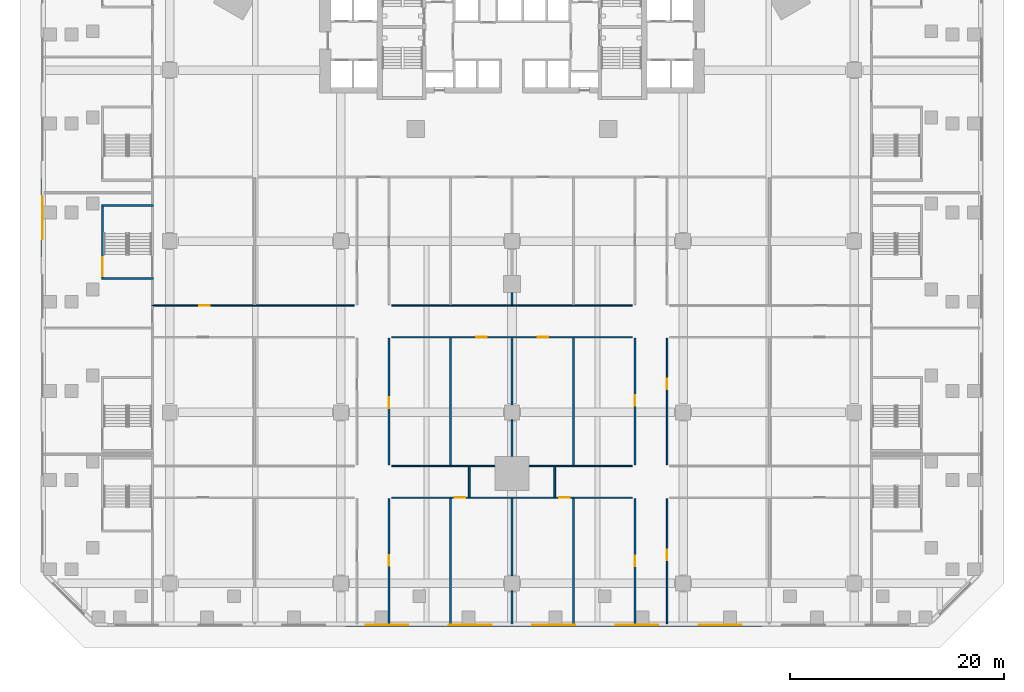
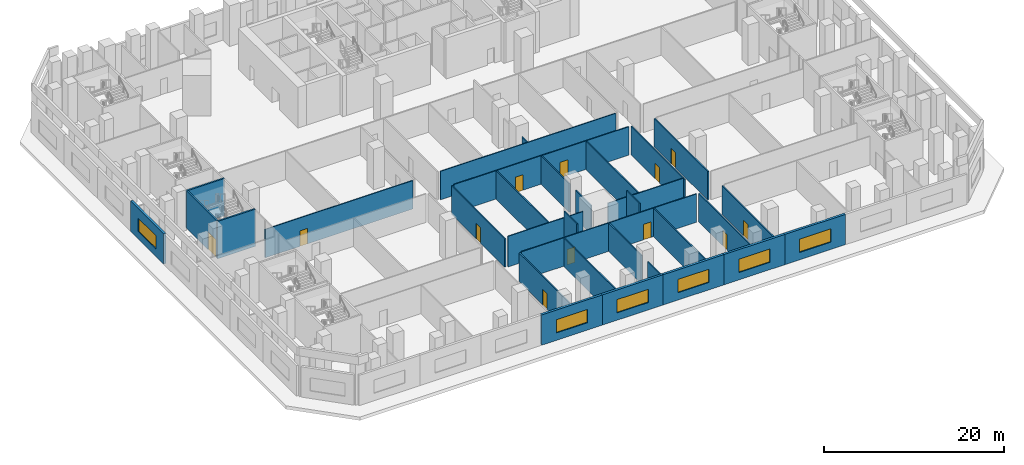
# One storey, part 5 of 22: 32 walls, 12 doors, 6 windows, 18 openings.
"""IFC4 building model written with IfcOpenShell, lengths in metres."""

from ifc_helpers import new_model, si_unit, direction, frame, frame_2d, origin, place, context, subcontext, project, spatial, rectangle, extrude, material, layer, layer_set, type_object, element, fill, save


model = new_model("IFC4")

# Units and contexts
model_context = context("Model", 3, precision=1e-05, world=origin(), true_north=direction((0.0, 1.0)))
body_context = subcontext(model_context, "Body", "Model", "MODEL_VIEW")
ifc_project = project(units=[si_unit("LENGTHUNIT", "METRE"), si_unit("AREAUNIT", "SQUARE_METRE"), si_unit("VOLUMEUNIT", "CUBIC_METRE"), si_unit("PLANEANGLEUNIT", "RADIAN"), si_unit("MASSUNIT", "GRAM", prefix="KILO")], contexts=[model_context])

# Site, building, storey
site_placement = place(None, origin())
site = spatial("IfcSite", under=ifc_project, at=site_placement, CompositionType="ELEMENT")
building_placement = place(site_placement, origin())
building = spatial("IfcBuilding", under=site, at=building_placement, Name="Calabash Gate Tower", CompositionType="ELEMENT")
storey_placement = place(building_placement, frame((0.0, 0.0, 29.0)))
storey = spatial("IfcBuildingStorey", under=building, at=storey_placement, Name="L03", CompositionType="ELEMENT", Elevation=29.0)

# Wall, opening, door
ifc_material_1 = material(Name="Gypsum board on steel studs, mineral wool", Category="steel")
ifc_layer_1 = layer(ifc_material_1, 0.14990234375)
ifc_layer_set_1 = layer_set([ifc_layer_1], Name="Partition 150 gypsum board")
wall_type_1 = type_object("IfcWallType", Name="Partition 150 gypsum board", PredefinedType="PARTITIONING", material=ifc_layer_set_1)
wall_1_placement = place(storey_placement, frame((-11.5, -43.77001953125, 0.0), z_axis=(0.0, 0.0, 1.0), x_axis=(0.0, 1.0, 0.0)))
wall_1 = element("IfcWall", 1, at=wall_1_placement, inside=storey, type_object=wall_type_1, Name="Partition", PredefinedType="PARTITIONING", context=body_context, shape_type="SweptSolid", body=[
    extrude(rectangle(XDim=11.695068359375, YDim=0.14990234375, at=frame_2d((5.84765625, 0.0))), origin(), (0.0, 0.0, 1.0), 3.85009765625),
])
opening_1_placement = place(wall_1_placement, frame((5.419921875, 0.0, 0.0)))
opening_1 = element("IfcOpeningElement", 2, at=opening_1_placement, cuts=wall_1, Name="Opening L03-064", PredefinedType="OPENING", context=body_context, shape_type="SweptSolid", body=[
    extrude(rectangle(XDim=1.0, YDim=2.10009765625, at=frame_2d((0.5, 1.050048828125))), frame((0.0, 0.0849609375, 0.0), z_axis=(0.0, -1.0, 0.0), x_axis=(1.0, 0.0, 0.0)), (0.0, 0.0, 1.0), 0.169921875),
])
ifc_material_2 = material(Name="Steel fire door set with fire-resisting glazing", Category="steel")
door_type_1 = type_object("IfcDoorType", Name="Fire door D11 1000x2100 FD60", OperationType="NOTDEFINED", PredefinedType="DOOR", material=ifc_material_2)
door_1_placement = place(opening_1_placement, origin())
door_1 = element("IfcDoor", 3, at=door_1_placement, inside=storey, type_object=door_type_1, Name="Meeting Room 319 door", OperationType="SINGLE_SWING_RIGHT", OverallHeight=2.10009765625, OverallWidth=1.0, PredefinedType="DOOR", context=body_context, shape_type="SweptSolid", body=[
    extrude(rectangle(XDim=1.0, YDim=2.10009765625, at=frame_2d((0.5, 1.050048828125))), frame((0.0, 0.02490234375, 0.0), z_axis=(0.0, -1.0, 0.0), x_axis=(1.0, 0.0, 0.0)), (0.0, 0.0, 1.0), 0.050048828125),
])
fill(opening_1, door_1)

# Walls
wall_2_placement = place(storey_placement, frame((-5.75, -43.77001953125, 0.0), z_axis=(0.0, 0.0, 1.0), x_axis=(0.0, 1.0, 0.0)))
element("IfcWall", 4, at=wall_2_placement, inside=storey, type_object=wall_type_1, Name="Partition", PredefinedType="PARTITIONING", context=body_context, shape_type="SweptSolid", body=[
    extrude(rectangle(XDim=11.695068359375, YDim=0.14990234375, at=frame_2d((5.84765625, 0.0))), origin(), (0.0, 0.0, 1.0), 3.85009765625),
])
wall_3_placement = place(storey_placement, frame((0.0, -43.77490234375, 0.0), z_axis=(0.0, 0.0, 1.0), x_axis=(0.0, 1.0, 0.0)))
element("IfcWall", 5, at=wall_3_placement, inside=storey, type_object=wall_type_1, Name="Partition", PredefinedType="PARTITIONING", context=body_context, shape_type="SweptSolid", body=[
    extrude(rectangle(XDim=3.074951171875, YDim=0.14990234375, at=frame_2d((1.53759765625, 0.0))), origin(), (0.0, 0.0, 1.0), 3.85009765625),
])
wall_4_placement = place(storey_placement, frame((5.75, -43.77001953125, 0.0), z_axis=(0.0, 0.0, 1.0), x_axis=(0.0, 1.0, 0.0)))
element("IfcWall", 6, at=wall_4_placement, inside=storey, type_object=wall_type_1, Name="Partition", PredefinedType="PARTITIONING", context=body_context, shape_type="SweptSolid", body=[
    extrude(rectangle(XDim=11.695068359375, YDim=0.14990234375, at=frame_2d((5.84765625, 0.0))), origin(), (0.0, 0.0, 1.0), 3.85009765625),
])

# Wall, opening, door
wall_5_placement = place(storey_placement, frame((11.5, -43.77001953125, 0.0), z_axis=(0.0, 0.0, 1.0), x_axis=(0.0, 1.0, 0.0)))
wall_5 = element("IfcWall", 7, at=wall_5_placement, inside=storey, type_object=wall_type_1, Name="Partition", PredefinedType="PARTITIONING", context=body_context, shape_type="SweptSolid", body=[
    extrude(rectangle(XDim=11.695068359375, YDim=0.14990234375, at=frame_2d((5.84765625, 0.0))), origin(), (0.0, 0.0, 1.0), 3.85009765625),
])
opening_2_placement = place(wall_5_placement, frame((5.3701171875, 0.0, 0.0)))
opening_2 = element("IfcOpeningElement", 8, at=opening_2_placement, cuts=wall_5, Name="Opening L03-067", PredefinedType="OPENING", context=body_context, shape_type="SweptSolid", body=[
    extrude(rectangle(XDim=1.0, YDim=2.10009765625, at=frame_2d((0.5, 1.050048828125))), frame((0.0, 0.0849609375, 0.0), z_axis=(0.0, -1.0, 0.0), x_axis=(1.0, 0.0, 0.0)), (0.0, 0.0, 1.0), 0.169921875),
])
door_2_placement = place(opening_2_placement, origin())
door_2 = element("IfcDoor", 9, at=door_2_placement, inside=storey, type_object=door_type_1, Name="Meeting Room 322 door", OperationType="SINGLE_SWING_LEFT", OverallHeight=2.10009765625, OverallWidth=1.0, PredefinedType="DOOR", context=body_context, shape_type="SweptSolid", body=[
    extrude(rectangle(XDim=1.0, YDim=2.10009765625, at=frame_2d((0.5, 1.050048828125))), frame((0.0, 0.02490234375, 0.0), z_axis=(0.0, -1.0, 0.0), x_axis=(1.0, 0.0, 0.0)), (0.0, 0.0, 1.0), 0.050048828125),
])
fill(opening_2, door_2)

wall_6_placement = place(storey_placement, frame((14.5, -43.77001953125, 0.0), z_axis=(0.0, 0.0, 1.0), x_axis=(0.0, 1.0, 0.0)))
wall_6 = element("IfcWall", 10, at=wall_6_placement, inside=storey, type_object=wall_type_1, Name="Partition", PredefinedType="PARTITIONING", context=body_context, shape_type="SweptSolid", body=[
    extrude(rectangle(XDim=11.695068359375, YDim=0.14990234375, at=frame_2d((5.84765625, 0.0))), origin(), (0.0, 0.0, 1.0), 3.85009765625),
])
opening_3_placement = place(wall_6_placement, frame((5.919921875, 0.0, 0.0)))
opening_3 = element("IfcOpeningElement", 11, at=opening_3_placement, cuts=wall_6, Name="Opening L03-068", PredefinedType="OPENING", context=body_context, shape_type="SweptSolid", body=[
    extrude(rectangle(XDim=1.0, YDim=2.10009765625, at=frame_2d((0.5, 1.050048828125))), frame((0.0, 0.0849609375, 0.0), z_axis=(0.0, -1.0, 0.0), x_axis=(1.0, 0.0, 0.0)), (0.0, 0.0, 1.0), 0.169921875),
])
door_3_placement = place(opening_3_placement, origin())
door_3 = element("IfcDoor", 12, at=door_3_placement, inside=storey, type_object=door_type_1, Name="Meeting Room 323 door", OperationType="SINGLE_SWING_LEFT", OverallHeight=2.10009765625, OverallWidth=1.0, PredefinedType="DOOR", context=body_context, shape_type="SweptSolid", body=[
    extrude(rectangle(XDim=1.0, YDim=2.10009765625, at=frame_2d((0.5, 1.050048828125))), frame((0.0, 0.02490234375, 0.0), z_axis=(0.0, -1.0, 0.0), x_axis=(1.0, 0.0, 0.0)), (0.0, 0.0, 1.0), 0.050048828125),
])
fill(opening_3, door_3)

# Wall
wall_7_placement = place(storey_placement, frame((0.0, -39.300048828125, 0.0), z_axis=(0.0, 0.0, 1.0), x_axis=(0.0, 1.0, 0.0)))
element("IfcWall", 13, at=wall_7_placement, inside=storey, type_object=wall_type_1, Name="Partition", PredefinedType="PARTITIONING", context=body_context, shape_type="SweptSolid", body=[
    extrude(rectangle(XDim=7.22509765625, YDim=0.14990234375, at=frame_2d((3.612548828125, 0.0))), origin(), (0.0, 0.0, 1.0), 3.85009765625),
])

# Wall, openings, doors
wall_8_placement = place(storey_placement, frame((-11.22998046875, -31.982421875, 0.0), z_axis=(0.0, 0.0, 1.0), x_axis=(1.0, 0.0, 0.0)))
wall_8 = element("IfcWall", 14, at=wall_8_placement, inside=storey, type_object=wall_type_1, Name="Partition", PredefinedType="PARTITIONING", context=body_context, shape_type="SweptSolid", body=[
    extrude(rectangle(XDim=22.4599609375, YDim=0.114990234375, at=frame_2d((11.22998046875, 0.0))), origin(), (0.0, 0.0, 1.0), 3.85009765625),
])
opening_4_placement = place(wall_8_placement, frame((5.8798828125, 0.0, 0.0)))
opening_4 = element("IfcOpeningElement", 15, at=opening_4_placement, cuts=wall_8, Name="Opening L03-065", PredefinedType="OPENING", context=body_context, shape_type="SweptSolid", body=[
    extrude(rectangle(XDim=1.0, YDim=2.10009765625, at=frame_2d((0.5, 1.050048828125))), frame((0.0, 0.0673828125, 0.0), z_axis=(0.0, -1.0, 0.0), x_axis=(1.0, 0.0, 0.0)), (0.0, 0.0, 1.0), 0.135009765625),
])
opening_5_placement = place(wall_8_placement, frame((15.6298828125, 0.0, 0.0)))
opening_5 = element("IfcOpeningElement", 16, at=opening_5_placement, cuts=wall_8, Name="Opening L03-066", PredefinedType="OPENING", context=body_context, shape_type="SweptSolid", body=[
    extrude(rectangle(XDim=1.0, YDim=2.10009765625, at=frame_2d((0.5, 1.050048828125))), frame((0.0, 0.0673828125, 0.0), z_axis=(0.0, -1.0, 0.0), x_axis=(1.0, 0.0, 0.0)), (0.0, 0.0, 1.0), 0.135009765625),
])
door_4_placement = place(opening_4_placement, origin())
door_4 = element("IfcDoor", 17, at=door_4_placement, inside=storey, type_object=door_type_1, Name="Meeting Room 320 door", OperationType="SINGLE_SWING_LEFT", OverallHeight=2.10009765625, OverallWidth=1.0, PredefinedType="DOOR", context=body_context, shape_type="SweptSolid", body=[
    extrude(rectangle(XDim=1.0, YDim=2.10009765625, at=frame_2d((0.5, 1.050048828125))), frame((0.0, 0.02490234375, 0.0), z_axis=(0.0, -1.0, 0.0), x_axis=(1.0, 0.0, 0.0)), (0.0, 0.0, 1.0), 0.050048828125),
])
fill(opening_4, door_4)
door_5_placement = place(opening_5_placement, origin())
door_5 = element("IfcDoor", 18, at=door_5_placement, inside=storey, type_object=door_type_1, Name="Meeting Room 321 door", OperationType="SINGLE_SWING_LEFT", OverallHeight=2.10009765625, OverallWidth=1.0, PredefinedType="DOOR", context=body_context, shape_type="SweptSolid", body=[
    extrude(rectangle(XDim=1.0, YDim=2.10009765625, at=frame_2d((0.5, 1.050048828125))), frame((0.0, 0.02490234375, 0.0), z_axis=(0.0, -1.0, 0.0), x_axis=(1.0, 0.0, 0.0)), (0.0, 0.0, 1.0), 0.050048828125),
])
fill(opening_5, door_5)

# Walls
for number, where, z_axis, x_axis, name in (
    (19, (-4.0, -31.925048828125, 0.0), (0.0, 0.0, 1.0), (0.0, 1.0, 0.0), "Partition"),
    (20, (4.0, -31.925048828125, 0.0), (0.0, 0.0, 1.0), (0.0, 1.0, 0.0), "Partition"),
):
    element("IfcWall", number, at=place(storey_placement, frame(where, z_axis=z_axis, x_axis=x_axis)), inside=storey, type_object=wall_type_1, Name=name, PredefinedType="PARTITIONING", context=body_context, shape_type="SweptSolid", body=[
        extrude(rectangle(XDim=2.85009765625, YDim=0.14990234375, at=frame_2d((1.425048828125, 0.0))), origin(), (0.0, 0.0, 1.0), 5.050048828125),
    ])
for number, where, z_axis, x_axis, name in (
    (21, (-11.22998046875, -29.017578125, 0.0), (0.0, 0.0, 1.0), (1.0, 0.0, 0.0), "Partition"),
    (22, (1.60009765625, -29.017578125, 0.0), (0.0, 0.0, 1.0), (1.0, 0.0, 0.0), "Partition"),
):
    element("IfcWall", number, at=place(storey_placement, frame(where, z_axis=z_axis, x_axis=x_axis)), inside=storey, type_object=wall_type_1, Name=name, PredefinedType="PARTITIONING", context=body_context, shape_type="SweptSolid", body=[
        extrude(rectangle(XDim=9.6298828125, YDim=0.114990234375, at=frame_2d((4.81494140625, 0.0))), origin(), (0.0, 0.0, 1.0), 4.14990234375),
    ])

# Wall, opening, door
wall_9_placement = place(storey_placement, frame((-11.5, -28.925048828125, 0.0), z_axis=(0.0, 0.0, 1.0), x_axis=(0.0, 1.0, 0.0)))
wall_9 = element("IfcWall", 23, at=wall_9_placement, inside=storey, type_object=wall_type_1, Name="Partition", PredefinedType="PARTITIONING", context=body_context, shape_type="SweptSolid", body=[
    extrude(rectangle(XDim=11.85009765625, YDim=0.14990234375, at=frame_2d((5.925048828125, 0.0))), origin(), (0.0, 0.0, 1.0), 3.85009765625),
])
opening_6_placement = place(wall_9_placement, frame((5.324951171875, 0.0, 0.0)))
opening_6 = element("IfcOpeningElement", 24, at=opening_6_placement, cuts=wall_9, Name="Opening L03-056", PredefinedType="OPENING", context=body_context, shape_type="SweptSolid", body=[
    extrude(rectangle(XDim=1.0, YDim=2.10009765625, at=frame_2d((0.5, 1.050048828125))), frame((0.0, 0.0849609375, 0.0), z_axis=(0.0, -1.0, 0.0), x_axis=(1.0, 0.0, 0.0)), (0.0, 0.0, 1.0), 0.169921875),
])
door_6_placement = place(opening_6_placement, origin())
door_6 = element("IfcDoor", 25, at=door_6_placement, inside=storey, type_object=door_type_1, Name="Meeting Room 311 door", OperationType="SINGLE_SWING_RIGHT", OverallHeight=2.10009765625, OverallWidth=1.0, PredefinedType="DOOR", context=body_context, shape_type="SweptSolid", body=[
    extrude(rectangle(XDim=1.0, YDim=2.10009765625, at=frame_2d((0.5, 1.050048828125))), frame((0.0, 0.02490234375, 0.0), z_axis=(0.0, -1.0, 0.0), x_axis=(1.0, 0.0, 0.0)), (0.0, 0.0, 1.0), 0.050048828125),
])
fill(opening_6, door_6)

# Walls
for number, where, z_axis, x_axis, name in (
    (26, (-5.75, -28.925048828125, 0.0), (0.0, 0.0, 1.0), (0.0, 1.0, 0.0), "Partition"),
    (27, (5.75, -28.925048828125, 0.0), (0.0, 0.0, 1.0), (0.0, 1.0, 0.0), "Partition"),
):
    element("IfcWall", number, at=place(storey_placement, frame(where, z_axis=z_axis, x_axis=x_axis)), inside=storey, type_object=wall_type_1, Name=name, PredefinedType="PARTITIONING", context=body_context, shape_type="SweptSolid", body=[
        extrude(rectangle(XDim=11.85009765625, YDim=0.14990234375, at=frame_2d((5.925048828125, 0.0))), origin(), (0.0, 0.0, 1.0), 3.85009765625),
    ])

# Wall, opening, door
wall_10_placement = place(storey_placement, frame((11.5, -28.925048828125, 0.0), z_axis=(0.0, 0.0, 1.0), x_axis=(0.0, 1.0, 0.0)))
wall_10 = element("IfcWall", 28, at=wall_10_placement, inside=storey, type_object=wall_type_1, Name="Partition", PredefinedType="PARTITIONING", context=body_context, shape_type="SweptSolid", body=[
    extrude(rectangle(XDim=11.85009765625, YDim=0.14990234375, at=frame_2d((5.925048828125, 0.0))), origin(), (0.0, 0.0, 1.0), 3.85009765625),
])
opening_7_placement = place(wall_10_placement, frame((5.52490234375, 0.0, 0.0)))
opening_7 = element("IfcOpeningElement", 29, at=opening_7_placement, cuts=wall_10, Name="Opening L03-059", PredefinedType="OPENING", context=body_context, shape_type="SweptSolid", body=[
    extrude(rectangle(XDim=1.0, YDim=2.10009765625, at=frame_2d((0.5, 1.050048828125))), frame((0.0, 0.0849609375, 0.0), z_axis=(0.0, -1.0, 0.0), x_axis=(1.0, 0.0, 0.0)), (0.0, 0.0, 1.0), 0.169921875),
])
door_7_placement = place(opening_7_placement, origin())
door_7 = element("IfcDoor", 30, at=door_7_placement, inside=storey, type_object=door_type_1, Name="Meeting Room 314 door", OperationType="SINGLE_SWING_LEFT", OverallHeight=2.10009765625, OverallWidth=1.0, PredefinedType="DOOR", context=body_context, shape_type="SweptSolid", body=[
    extrude(rectangle(XDim=1.0, YDim=2.10009765625, at=frame_2d((0.5, 1.050048828125))), frame((0.0, 0.02490234375, 0.0), z_axis=(0.0, -1.0, 0.0), x_axis=(1.0, 0.0, 0.0)), (0.0, 0.0, 1.0), 0.050048828125),
])
fill(opening_7, door_7)

wall_11_placement = place(storey_placement, frame((14.5, -28.925048828125, 0.0), z_axis=(0.0, 0.0, 1.0), x_axis=(0.0, 1.0, 0.0)))
wall_11 = element("IfcWall", 31, at=wall_11_placement, inside=storey, type_object=wall_type_1, Name="Partition", PredefinedType="PARTITIONING", context=body_context, shape_type="SweptSolid", body=[
    extrude(rectangle(XDim=11.85009765625, YDim=0.14990234375, at=frame_2d((5.925048828125, 0.0))), origin(), (0.0, 0.0, 1.0), 3.85009765625),
])
opening_8_placement = place(wall_11_placement, frame((7.074951171875, 0.0, 0.0)))
opening_8 = element("IfcOpeningElement", 32, at=opening_8_placement, cuts=wall_11, Name="Opening L03-060", PredefinedType="OPENING", context=body_context, shape_type="SweptSolid", body=[
    extrude(rectangle(XDim=1.0, YDim=2.10009765625, at=frame_2d((0.5, 1.050048828125))), frame((0.0, 0.0849609375, 0.0), z_axis=(0.0, -1.0, 0.0), x_axis=(1.0, 0.0, 0.0)), (0.0, 0.0, 1.0), 0.169921875),
])
door_8_placement = place(opening_8_placement, origin())
door_8 = element("IfcDoor", 33, at=door_8_placement, inside=storey, type_object=door_type_1, Name="Meeting Room 315 door", OperationType="SINGLE_SWING_LEFT", OverallHeight=2.10009765625, OverallWidth=1.0, PredefinedType="DOOR", context=body_context, shape_type="SweptSolid", body=[
    extrude(rectangle(XDim=1.0, YDim=2.10009765625, at=frame_2d((0.5, 1.050048828125))), frame((0.0, 0.02490234375, 0.0), z_axis=(0.0, -1.0, 0.0), x_axis=(1.0, 0.0, 0.0)), (0.0, 0.0, 1.0), 0.050048828125),
])
fill(opening_8, door_8)

# Walls
wall_12_placement = place(storey_placement, frame((0.0, -28.133056640625, 0.0), z_axis=(0.0, 0.0, 1.0), x_axis=(0.0, 1.0, 0.0)))
element("IfcWall", 34, at=wall_12_placement, inside=storey, type_object=wall_type_1, Name="Partition", PredefinedType="PARTITIONING", context=body_context, shape_type="SweptSolid", body=[
    extrude(rectangle(XDim=3.43310546875, YDim=0.14990234375, at=frame_2d((1.716552734375, 0.0))), origin(), (0.0, 0.0, 1.0), 3.85009765625),
])
wall_13_placement = place(storey_placement, frame((0.0, -23.300048828125, 0.0), z_axis=(0.0, 0.0, 1.0), x_axis=(0.0, 1.0, 0.0)))
element("IfcWall", 35, at=wall_13_placement, inside=storey, type_object=wall_type_1, Name="Partition", PredefinedType="PARTITIONING", context=body_context, shape_type="SweptSolid", body=[
    extrude(rectangle(XDim=6.22509765625, YDim=0.14990234375, at=frame_2d((3.112548828125, 0.0))), origin(), (0.0, 0.0, 1.0), 3.85009765625),
])

# Wall, openings, doors
wall_14_placement = place(storey_placement, frame((-11.22998046875, -16.982421875, 0.0), z_axis=(0.0, 0.0, 1.0), x_axis=(1.0, 0.0, 0.0)))
wall_14 = element("IfcWall", 36, at=wall_14_placement, inside=storey, type_object=wall_type_1, Name="Partition", PredefinedType="PARTITIONING", context=body_context, shape_type="SweptSolid", body=[
    extrude(rectangle(XDim=22.4599609375, YDim=0.114990234375, at=frame_2d((11.22998046875, 0.0))), origin(), (0.0, 0.0, 1.0), 3.85009765625),
])
opening_9_placement = place(wall_14_placement, frame((7.8798828125, 0.0, 0.0)))
opening_9 = element("IfcOpeningElement", 37, at=opening_9_placement, cuts=wall_14, Name="Opening L03-057", PredefinedType="OPENING", context=body_context, shape_type="SweptSolid", body=[
    extrude(rectangle(XDim=1.0, YDim=2.10009765625, at=frame_2d((0.5, 1.050048828125))), frame((0.0, 0.0673828125, 0.0), z_axis=(0.0, -1.0, 0.0), x_axis=(1.0, 0.0, 0.0)), (0.0, 0.0, 1.0), 0.135009765625),
])
opening_10_placement = place(wall_14_placement, frame((13.6298828125, 0.0, 0.0)))
opening_10 = element("IfcOpeningElement", 38, at=opening_10_placement, cuts=wall_14, Name="Opening L03-058", PredefinedType="OPENING", context=body_context, shape_type="SweptSolid", body=[
    extrude(rectangle(XDim=1.0, YDim=2.10009765625, at=frame_2d((0.5, 1.050048828125))), frame((0.0, 0.0673828125, 0.0), z_axis=(0.0, -1.0, 0.0), x_axis=(1.0, 0.0, 0.0)), (0.0, 0.0, 1.0), 0.135009765625),
])
door_9_placement = place(opening_9_placement, origin())
door_9 = element("IfcDoor", 39, at=door_9_placement, inside=storey, type_object=door_type_1, Name="Meeting Room 312 door", OperationType="SINGLE_SWING_RIGHT", OverallHeight=2.10009765625, OverallWidth=1.0, PredefinedType="DOOR", context=body_context, shape_type="SweptSolid", body=[
    extrude(rectangle(XDim=1.0, YDim=2.10009765625, at=frame_2d((0.5, 1.050048828125))), frame((0.0, 0.02490234375, 0.0), z_axis=(0.0, -1.0, 0.0), x_axis=(1.0, 0.0, 0.0)), (0.0, 0.0, 1.0), 0.050048828125),
])
fill(opening_9, door_9)
door_10_placement = place(opening_10_placement, origin())
door_10 = element("IfcDoor", 40, at=door_10_placement, inside=storey, type_object=door_type_1, Name="Meeting Room 313 door", OperationType="SINGLE_SWING_LEFT", OverallHeight=2.10009765625, OverallWidth=1.0, PredefinedType="DOOR", context=body_context, shape_type="SweptSolid", body=[
    extrude(rectangle(XDim=1.0, YDim=2.10009765625, at=frame_2d((0.5, 1.050048828125))), frame((0.0, 0.02490234375, 0.0), z_axis=(0.0, -1.0, 0.0), x_axis=(1.0, 0.0, 0.0)), (0.0, 0.0, 1.0), 0.050048828125),
])
fill(opening_10, door_10)

# Wall, opening, door
wall_15_placement = place(storey_placement, frame((-33.675048828125, -14.017578125, 0.0), z_axis=(0.0, 0.0, 1.0), x_axis=(1.0, 0.0, 0.0)))
wall_15 = element("IfcWall", 41, at=wall_15_placement, inside=storey, type_object=wall_type_1, Name="Partition", PredefinedType="PARTITIONING", context=body_context, shape_type="SweptSolid", body=[
    extrude(rectangle(XDim=18.905029296875, YDim=0.114990234375, at=frame_2d((9.45263671875, 0.0))), origin(), (0.0, 0.0, 1.0), 3.85009765625),
])
opening_11_placement = place(wall_15_placement, frame((4.425048828125, 0.0, 0.0)))
opening_11 = element("IfcOpeningElement", 42, at=opening_11_placement, cuts=wall_15, Name="Opening L03-046", PredefinedType="OPENING", context=body_context, shape_type="SweptSolid", body=[
    extrude(rectangle(XDim=1.0, YDim=2.10009765625, at=frame_2d((0.5, 1.050048828125))), frame((0.0, 0.0673828125, 0.0), z_axis=(0.0, -1.0, 0.0), x_axis=(1.0, 0.0, 0.0)), (0.0, 0.0, 1.0), 0.135009765625),
])
door_11_placement = place(opening_11_placement, origin())
door_11 = element("IfcDoor", 43, at=door_11_placement, inside=storey, type_object=door_type_1, Name="Meeting Room 301 door", OperationType="SINGLE_SWING_LEFT", OverallHeight=2.10009765625, OverallWidth=1.0, PredefinedType="DOOR", context=body_context, shape_type="SweptSolid", body=[
    extrude(rectangle(XDim=1.0, YDim=2.10009765625, at=frame_2d((0.5, 1.050048828125))), frame((0.0, 0.02490234375, 0.0), z_axis=(0.0, -1.0, 0.0), x_axis=(1.0, 0.0, 0.0)), (0.0, 0.0, 1.0), 0.050048828125),
])
fill(opening_11, door_11)

# Walls
wall_16_placement = place(storey_placement, frame((-11.22998046875, -14.017578125, 0.0), z_axis=(0.0, 0.0, 1.0), x_axis=(1.0, 0.0, 0.0)))
element("IfcWall", 44, at=wall_16_placement, inside=storey, type_object=wall_type_1, Name="Partition", PredefinedType="PARTITIONING", context=body_context, shape_type="SweptSolid", body=[
    extrude(rectangle(XDim=22.4599609375, YDim=0.114990234375, at=frame_2d((11.22998046875, 0.0))), origin(), (0.0, 0.0, 1.0), 3.85009765625),
])
wall_17_placement = place(storey_placement, frame((0.0, -13.925048828125, 0.0), z_axis=(0.0, 0.0, 1.0), x_axis=(0.0, 1.0, 0.0)))
element("IfcWall", 45, at=wall_17_placement, inside=storey, type_object=wall_type_1, Name="Partition", PredefinedType="PARTITIONING", context=body_context, shape_type="SweptSolid", body=[
    extrude(rectangle(XDim=1.125, YDim=0.14990234375, at=frame_2d((0.5625, 0.0))), origin(), (0.0, 0.0, 1.0), 3.85009765625),
])

# Wall, opening, window
ifc_material_3 = material(Name="Terracotta brick masonry, exposed face", Category="masonry")
ifc_layer_2 = layer(ifc_material_3, 0.300048828125)
ifc_layer_set_2 = layer_set([ifc_layer_2], Name="Podium brick wall 300")
wall_type_2 = type_object("IfcWallType", Name="Podium brick wall 300", PredefinedType="SOLIDWALL", material=ifc_layer_set_2)
wall_18_placement = place(storey_placement, frame((-15.580078125, -43.89990234375, 0.0), z_axis=(0.0, 0.0, 1.0), x_axis=(1.0, 0.0, 0.0)))
wall_18 = element("IfcWall", 46, at=wall_18_placement, inside=storey, type_object=wall_type_2, Name="Podium brick wall L03 0.0.3", PredefinedType="SOLIDWALL", context=body_context, shape_type="SweptSolid", body=[
    extrude(rectangle(XDim=7.7900390625, YDim=0.300048828125, at=frame_2d((3.89501953125, 0.0))), origin(), (0.0, 0.0, 1.0), 4.10009765625),
])
opening_12_placement = place(wall_18_placement, frame((1.89501953125, 0.0, 1.0)))
opening_12 = element("IfcOpeningElement", 47, at=opening_12_placement, cuts=wall_18, Name="Opening WM1", PredefinedType="OPENING", context=body_context, shape_type="SweptSolid", body=[
    extrude(rectangle(XDim=4.0, YDim=1.800048828125, at=frame_2d((2.0, 0.89990234375))), frame((0.0, 0.159912109375, 0.0), z_axis=(0.0, -1.0, 0.0), x_axis=(1.0, 0.0, 0.0)), (0.0, 0.0, 1.0), 0.320068359375),
])
ifc_material_4 = material(Name="Anodised aluminium frame, bronze finish, impact-rated laminated clear glazing", Category="aluminium")
window_type = type_object("IfcWindowType", Name="Window WM1 4000x1800", PartitioningType="TRIPLE_PANEL_VERTICAL", PredefinedType="WINDOW", material=ifc_material_4)
window_1_placement = place(opening_12_placement, origin())
window_1 = element("IfcWindow", 48, at=window_1_placement, inside=storey, type_object=window_type, Name="Meeting room window L03 0.0.3", OverallHeight=1.800048828125, OverallWidth=4.0, PartitioningType="SINGLE_PANEL", PredefinedType="WINDOW", context=body_context, shape_type="SweptSolid", body=[
    extrude(rectangle(XDim=4.0, YDim=1.800048828125, at=frame_2d((2.0, 0.89990234375))), frame((0.0, 0.030029296875, 0.0), z_axis=(0.0, -1.0, 0.0), x_axis=(1.0, 0.0, 0.0)), (0.0, 0.0, 1.0), 0.06005859375),
])
fill(opening_12, window_1)

wall_19_placement = place(storey_placement, frame((-7.7900390625, -43.89990234375, 0.0), z_axis=(0.0, 0.0, 1.0), x_axis=(1.0, 0.0, 0.0)))
wall_19 = element("IfcWall", 49, at=wall_19_placement, inside=storey, type_object=wall_type_2, Name="Podium brick wall L03 0.0.4", PredefinedType="SOLIDWALL", context=body_context, shape_type="SweptSolid", body=[
    extrude(rectangle(XDim=7.7900390625, YDim=0.300048828125, at=frame_2d((3.89501953125, 0.0))), origin(), (0.0, 0.0, 1.0), 4.10009765625),
])
opening_13_placement = place(wall_19_placement, frame((1.89501953125, 0.0, 1.0)))
opening_13 = element("IfcOpeningElement", 50, at=opening_13_placement, cuts=wall_19, Name="Opening WM1", PredefinedType="OPENING", context=body_context, shape_type="SweptSolid", body=[
    extrude(rectangle(XDim=4.0, YDim=1.800048828125, at=frame_2d((2.0, 0.89990234375))), frame((0.0, 0.159912109375, 0.0), z_axis=(0.0, -1.0, 0.0), x_axis=(1.0, 0.0, 0.0)), (0.0, 0.0, 1.0), 0.320068359375),
])
window_2_placement = place(opening_13_placement, origin())
window_2 = element("IfcWindow", 51, at=window_2_placement, inside=storey, type_object=window_type, Name="Meeting room window L03 0.0.4", OverallHeight=1.800048828125, OverallWidth=4.0, PartitioningType="SINGLE_PANEL", PredefinedType="WINDOW", context=body_context, shape_type="SweptSolid", body=[
    extrude(rectangle(XDim=4.0, YDim=1.800048828125, at=frame_2d((2.0, 0.89990234375))), frame((0.0, 0.030029296875, 0.0), z_axis=(0.0, -1.0, 0.0), x_axis=(1.0, 0.0, 0.0)), (0.0, 0.0, 1.0), 0.06005859375),
])
fill(opening_13, window_2)

wall_20_placement = place(storey_placement, frame((0.0, -43.89990234375, 0.0), z_axis=(0.0, 0.0, 1.0), x_axis=(1.0, 0.0, 0.0)))
wall_20 = element("IfcWall", 52, at=wall_20_placement, inside=storey, type_object=wall_type_2, Name="Podium brick wall L03 0.0.5", PredefinedType="SOLIDWALL", context=body_context, shape_type="SweptSolid", body=[
    extrude(rectangle(XDim=7.7900390625, YDim=0.300048828125, at=frame_2d((3.89501953125, 0.0))), origin(), (0.0, 0.0, 1.0), 4.10009765625),
])
opening_14_placement = place(wall_20_placement, frame((1.89501953125, 0.0, 1.0)))
opening_14 = element("IfcOpeningElement", 53, at=opening_14_placement, cuts=wall_20, Name="Opening WM1", PredefinedType="OPENING", context=body_context, shape_type="SweptSolid", body=[
    extrude(rectangle(XDim=4.0, YDim=1.800048828125, at=frame_2d((2.0, 0.89990234375))), frame((0.0, 0.159912109375, 0.0), z_axis=(0.0, -1.0, 0.0), x_axis=(1.0, 0.0, 0.0)), (0.0, 0.0, 1.0), 0.320068359375),
])
window_3_placement = place(opening_14_placement, origin())
window_3 = element("IfcWindow", 54, at=window_3_placement, inside=storey, type_object=window_type, Name="Meeting room window L03 0.0.5", OverallHeight=1.800048828125, OverallWidth=4.0, PartitioningType="SINGLE_PANEL", PredefinedType="WINDOW", context=body_context, shape_type="SweptSolid", body=[
    extrude(rectangle(XDim=4.0, YDim=1.800048828125, at=frame_2d((2.0, 0.89990234375))), frame((0.0, 0.030029296875, 0.0), z_axis=(0.0, -1.0, 0.0), x_axis=(1.0, 0.0, 0.0)), (0.0, 0.0, 1.0), 0.06005859375),
])
fill(opening_14, window_3)

wall_21_placement = place(storey_placement, frame((7.7900390625, -43.89990234375, 0.0), z_axis=(0.0, 0.0, 1.0), x_axis=(1.0, 0.0, 0.0)))
wall_21 = element("IfcWall", 55, at=wall_21_placement, inside=storey, type_object=wall_type_2, Name="Podium brick wall L03 0.0.6", PredefinedType="SOLIDWALL", context=body_context, shape_type="SweptSolid", body=[
    extrude(rectangle(XDim=7.7900390625, YDim=0.300048828125, at=frame_2d((3.89501953125, 0.0))), origin(), (0.0, 0.0, 1.0), 4.10009765625),
])
opening_15_placement = place(wall_21_placement, frame((1.89501953125, 0.0, 1.0)))
opening_15 = element("IfcOpeningElement", 56, at=opening_15_placement, cuts=wall_21, Name="Opening WM1", PredefinedType="OPENING", context=body_context, shape_type="SweptSolid", body=[
    extrude(rectangle(XDim=4.0, YDim=1.800048828125, at=frame_2d((2.0, 0.89990234375))), frame((0.0, 0.159912109375, 0.0), z_axis=(0.0, -1.0, 0.0), x_axis=(1.0, 0.0, 0.0)), (0.0, 0.0, 1.0), 0.320068359375),
])
window_4_placement = place(opening_15_placement, origin())
window_4 = element("IfcWindow", 57, at=window_4_placement, inside=storey, type_object=window_type, Name="Meeting room window L03 0.0.6", OverallHeight=1.800048828125, OverallWidth=4.0, PartitioningType="SINGLE_PANEL", PredefinedType="WINDOW", context=body_context, shape_type="SweptSolid", body=[
    extrude(rectangle(XDim=4.0, YDim=1.800048828125, at=frame_2d((2.0, 0.89990234375))), frame((0.0, 0.030029296875, 0.0), z_axis=(0.0, -1.0, 0.0), x_axis=(1.0, 0.0, 0.0)), (0.0, 0.0, 1.0), 0.06005859375),
])
fill(opening_15, window_4)

wall_22_placement = place(storey_placement, frame((15.580078125, -43.89990234375, 0.0), z_axis=(0.0, 0.0, 1.0), x_axis=(1.0, 0.0, 0.0)))
wall_22 = element("IfcWall", 58, at=wall_22_placement, inside=storey, type_object=wall_type_2, Name="Podium brick wall L03 0.0.7", PredefinedType="SOLIDWALL", context=body_context, shape_type="SweptSolid", body=[
    extrude(rectangle(XDim=7.7900390625, YDim=0.300048828125, at=frame_2d((3.89501953125, 0.0))), origin(), (0.0, 0.0, 1.0), 4.10009765625),
])
opening_16_placement = place(wall_22_placement, frame((1.89501953125, 0.0, 1.0)))
opening_16 = element("IfcOpeningElement", 59, at=opening_16_placement, cuts=wall_22, Name="Opening WM1", PredefinedType="OPENING", context=body_context, shape_type="SweptSolid", body=[
    extrude(rectangle(XDim=4.0, YDim=1.800048828125, at=frame_2d((2.0, 0.89990234375))), frame((0.0, 0.159912109375, 0.0), z_axis=(0.0, -1.0, 0.0), x_axis=(1.0, 0.0, 0.0)), (0.0, 0.0, 1.0), 0.320068359375),
])
window_5_placement = place(opening_16_placement, origin())
window_5 = element("IfcWindow", 60, at=window_5_placement, inside=storey, type_object=window_type, Name="Meeting room window L03 0.0.7", OverallHeight=1.800048828125, OverallWidth=4.0, PartitioningType="SINGLE_PANEL", PredefinedType="WINDOW", context=body_context, shape_type="SweptSolid", body=[
    extrude(rectangle(XDim=4.0, YDim=1.800048828125, at=frame_2d((2.0, 0.89990234375))), frame((0.0, 0.030029296875, 0.0), z_axis=(0.0, -1.0, 0.0), x_axis=(1.0, 0.0, 0.0)), (0.0, 0.0, 1.0), 0.06005859375),
])
fill(opening_16, window_5)

wall_23_placement = place(storey_placement, frame((-43.89990234375, -2.137451171875, 0.0), z_axis=(0.0, 0.0, 1.0), x_axis=(0.0, -1.0, 0.0)))
wall_23 = element("IfcWall", 61, at=wall_23_placement, inside=storey, type_object=wall_type_2, Name="Podium brick wall L03 6.0.3", PredefinedType="SOLIDWALL", context=body_context, shape_type="SweptSolid", body=[
    extrude(rectangle(XDim=7.362548828125, YDim=0.300048828125, at=frame_2d((3.68115234375, 0.0))), origin(), (0.0, 0.0, 1.0), 4.10009765625),
])
opening_17_placement = place(wall_23_placement, frame((1.68115234375, 0.0, 1.0)))
opening_17 = element("IfcOpeningElement", 62, at=opening_17_placement, cuts=wall_23, Name="Opening WM1", PredefinedType="OPENING", context=body_context, shape_type="SweptSolid", body=[
    extrude(rectangle(XDim=4.0, YDim=1.800048828125, at=frame_2d((2.0, 0.89990234375))), frame((0.0, 0.159912109375, 0.0), z_axis=(0.0, -1.0, 0.0), x_axis=(1.0, 0.0, 0.0)), (0.0, 0.0, 1.0), 0.320068359375),
])
window_6_placement = place(opening_17_placement, origin())
window_6 = element("IfcWindow", 63, at=window_6_placement, inside=storey, type_object=window_type, Name="Meeting room window L03 6.0.3", OverallHeight=1.800048828125, OverallWidth=4.0, PartitioningType="SINGLE_PANEL", PredefinedType="WINDOW", context=body_context, shape_type="SweptSolid", body=[
    extrude(rectangle(XDim=4.0, YDim=1.800048828125, at=frame_2d((2.0, 0.89990234375))), frame((0.0, 0.030029296875, 0.0), z_axis=(0.0, -1.0, 0.0), x_axis=(1.0, 0.0, 0.0)), (0.0, 0.0, 1.0), 0.06005859375),
])
fill(opening_17, window_6)

# Walls
ifc_material_5 = material(Name="Concrete C40/50", Category="concrete")
ifc_layer_3 = layer(ifc_material_5, 0.199951171875)
ifc_layer_set_3 = layer_set([ifc_layer_3], Name="Stair wall 200 Concrete C40/50")
wall_type_3 = type_object("IfcWallType", Name="Stair wall 200 Concrete C40/50", PredefinedType="SOLIDWALL", material=ifc_layer_set_3)
for number, where, z_axis, x_axis, name in (
    (64, (-38.3701171875, -11.5, 0.0), (0.0, 0.0, 1.0), (1.0, 0.0, 0.0), "Stair wall"),
    (65, (-38.3701171875, -4.64990234375, 0.0), (0.0, 0.0, 1.0), (1.0, 0.0, 0.0), "Stair wall"),
):
    element("IfcWall", number, at=place(storey_placement, frame(where, z_axis=z_axis, x_axis=x_axis)), inside=storey, type_object=wall_type_3, Name=name, PredefinedType="SOLIDWALL", context=body_context, shape_type="SweptSolid", body=[
        extrude(rectangle(XDim=4.8701171875, YDim=0.199951171875, at=frame_2d((2.43505859375, 0.0))), origin(), (0.0, 0.0, 1.0), 5.050048828125),
    ])

# Wall, opening, door
wall_24_placement = place(storey_placement, frame((-38.27001953125, -11.39990234375, 0.0), z_axis=(0.0, 0.0, 1.0), x_axis=(0.0, 1.0, 0.0)))
wall_24 = element("IfcWall", 66, at=wall_24_placement, inside=storey, type_object=wall_type_3, Name="Stair wall", PredefinedType="SOLIDWALL", context=body_context, shape_type="SweptSolid", body=[
    extrude(rectangle(XDim=6.64990234375, YDim=0.199951171875, at=frame_2d((3.324951171875, 0.0))), origin(), (0.0, 0.0, 1.0), 5.050048828125),
])
opening_18_placement = place(wall_24_placement, frame((0.10009765625, 0.0, 0.0)))
opening_18 = element("IfcOpeningElement", 67, at=opening_18_placement, cuts=wall_24, Name="Opening L03-023", PredefinedType="OPENING", context=body_context, shape_type="SweptSolid", body=[
    extrude(rectangle(XDim=1.800048828125, YDim=2.39990234375, at=frame_2d((0.89990234375, 1.199951171875))), frame((0.0, 0.10986328125, 0.0), z_axis=(0.0, -1.0, 0.0), x_axis=(1.0, 0.0, 0.0)), (0.0, 0.0, 1.0), 0.219970703125),
])
ifc_material_6 = material(Name="Steel fire door set with fire-resisting glazing", Category="steel")
door_type_2 = type_object("IfcDoorType", Name="Double fire door D16 1800x2400 FD90", OperationType="DOUBLE_DOOR_SINGLE_SWING", PredefinedType="DOOR", material=ifc_material_6)
door_12_placement = place(opening_18_placement, origin())
door_12 = element("IfcDoor", 68, at=door_12_placement, inside=storey, type_object=door_type_2, Name="Exit stair door PS3", OperationType="DOUBLE_DOOR_SINGLE_SWING", OverallHeight=2.39990234375, OverallWidth=1.800048828125, PredefinedType="DOOR", context=body_context, shape_type="SweptSolid", body=[
    extrude(rectangle(XDim=1.800048828125, YDim=2.39990234375, at=frame_2d((0.89990234375, 1.199951171875))), frame((0.0, 0.02490234375, 0.0), z_axis=(0.0, -1.0, 0.0), x_axis=(1.0, 0.0, 0.0)), (0.0, 0.0, 1.0), 0.050048828125),
])
fill(opening_18, door_12)

save(model, "model.ifc")
